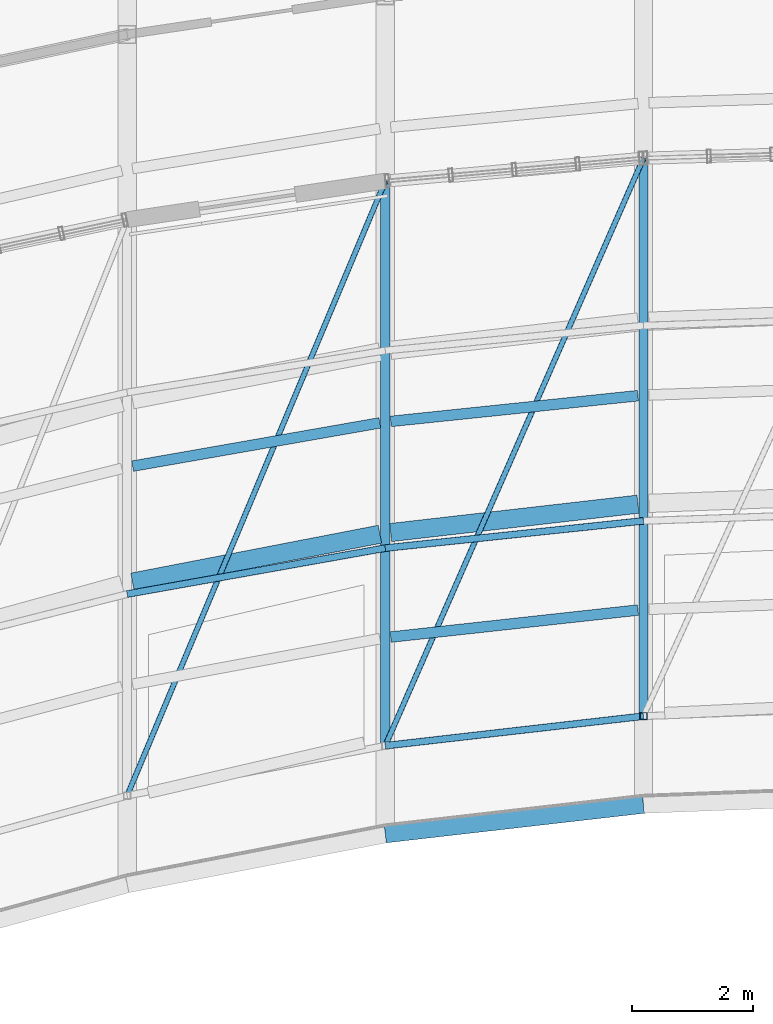
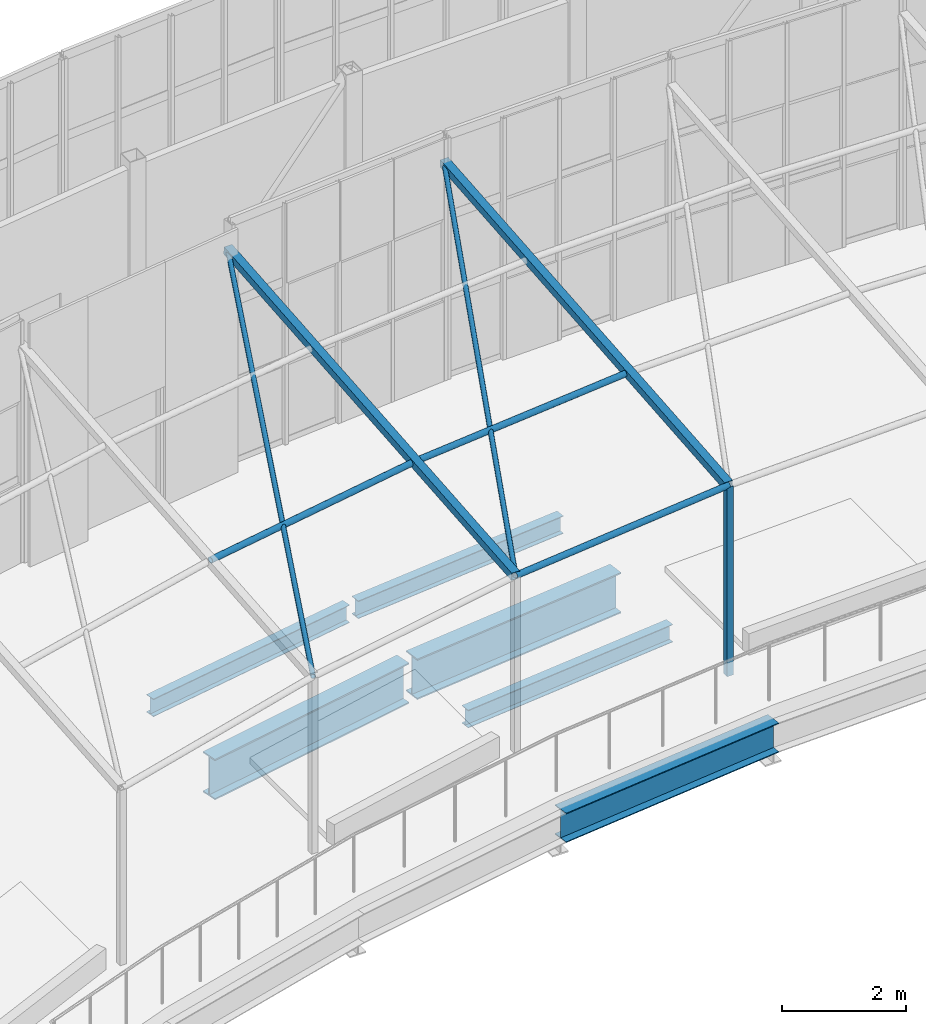
# One storey, part 11 of 35: 8 members, 6 beams.
"""IFC4 building model written with IfcOpenShell, lengths in metres."""

import ifcopenshell
import ifcopenshell.guid

model = None  # the IFC model being written
_history = None  # IfcOwnerHistory: only IFC2X3 demands one
_inside = {}  # id of a spatial element -> (the spatial element, [elements in it])
_under = {}  # id of a project, library or spatial element -> (it, [spatial elements below it])
_declared = {}  # id of a project -> (the project, [libraries it declares])
_typed = {}  # id of a type object -> (the type object, [elements of that type])
_made_of = {}  # id of a material, layer set ... -> (it, [elements and type objects made of it])


def new_model(schema):
    """Start an empty IFC model of exactly this schema.

    Asked for "IFC4X3", IfcOpenShell would pick the latest addendum, in which some entities
    have other attributes; the version numbers below select the first issue.
    IFC2X3 requires an IfcOwnerHistory on every rooted entity: one is made here for all.
    """
    global model, _history
    if schema == "IFC4X3":
        model = ifcopenshell.file(schema_version=(4, 3, 0, 0))
    else:
        model = ifcopenshell.file(schema=schema)
    _inside.clear()
    _under.clear()
    _declared.clear()
    _typed.clear()
    _made_of.clear()
    _history = None
    if model.schema == "IFC2X3":
        org = make("IfcOrganization", Name="unknown")
        user = make(
            "IfcPersonAndOrganization",
            ThePerson=make("IfcPerson", FamilyName="unknown"),
            TheOrganization=org,
        )
        app = make(
            "IfcApplication",
            ApplicationDeveloper=org,
            Version="unknown",
            ApplicationFullName="unknown",
            ApplicationIdentifier="unknown",
        )
        _history = make(
            "IfcOwnerHistory",
            OwningUser=user,
            OwningApplication=app,
            ChangeAction="ADDED",
            CreationDate=0,
        )
    return model


def make(cls, **values):
    """One entity of the class cls with the attributes given. An attribute that is None is left unset."""
    return model.create_entity(
        cls, **{name: value for name, value in values.items() if value is not None}
    )


def rooted(cls, **values):
    """An entity with a GlobalId (a new one), such as an element, a storey or a relation."""
    return make(cls, GlobalId=ifcopenshell.guid.new(), OwnerHistory=_history, **values)


def si_unit(unit_type, name, prefix=None):
    """IfcSIUnit, for example si_unit("LENGTHUNIT", "METRE", prefix="MILLI")."""
    return make("IfcSIUnit", UnitType=unit_type, Prefix=prefix, Name=name)


def assignment(units):
    """IfcUnitAssignment: the units of a project."""
    return None if units is None else make("IfcUnitAssignment", Units=units)


def point(xyz):
    """IfcCartesianPoint."""
    return None if xyz is None else make("IfcCartesianPoint", Coordinates=xyz)


def direction(xyz):
    """IfcDirection."""
    return None if xyz is None else make("IfcDirection", DirectionRatios=xyz)


def frame(location, z_axis=None, x_axis=None):
    """IfcAxis2Placement3D, a coordinate frame: its origin and axes. An axis left out is left unset."""
    return make(
        "IfcAxis2Placement3D",
        Location=point(location),
        Axis=direction(z_axis),
        RefDirection=direction(x_axis),
    )


def frame_2d(location, x_axis=None):
    """IfcAxis2Placement2D, a coordinate frame in the plane: its origin and x axis."""
    return make(
        "IfcAxis2Placement2D", Location=point(location), RefDirection=direction(x_axis)
    )


def origin():
    """The frame at (0, 0, 0) with its axes left unset."""
    return frame((0.0, 0.0, 0.0))


def origin_2d():
    """The frame at (0, 0) in the plane with its x axis left unset."""
    return frame_2d((0.0, 0.0))


def place(relative_to, where):
    """IfcLocalPlacement: puts the frame where relative to a parent placement (None: the world)."""
    return make(
        "IfcLocalPlacement", PlacementRelTo=relative_to, RelativePlacement=where
    )


def context(
    kind, dimensions, precision=None, world=None, true_north=None, identifier=None
):
    """IfcGeometricRepresentationContext, for example the 3D "Model" context."""
    return make(
        "IfcGeometricRepresentationContext",
        ContextIdentifier=identifier,
        ContextType=kind,
        CoordinateSpaceDimension=dimensions,
        Precision=precision,
        WorldCoordinateSystem=world,
        TrueNorth=true_north,
    )


def subcontext(parent, identifier, kind, view, scale=None):
    """IfcGeometricRepresentationSubContext, for example "Body" below "Model"."""
    return make(
        "IfcGeometricRepresentationSubContext",
        ContextIdentifier=identifier,
        ContextType=kind,
        ParentContext=parent,
        TargetScale=scale,
        TargetView=view,
    )


def project(units=None, contexts=None):
    """IfcProject with its units and contexts."""
    return rooted(
        "IfcProject",
        Name="project",
        RepresentationContexts=contexts,
        UnitsInContext=assignment(units),
    )


def spatial(cls, under=None, at=None, **own):
    """A site, building, storey or space (cls), placed at a placement, below another one or the project."""
    s = rooted(cls, ObjectPlacement=at, **own)
    if under is not None:
        _under.setdefault(under.id(), (under, []))[1].append(s)
    return s


def profile(cls, at=None, kind="AREA", **sizes):
    """A parametric profile (cls). Its sizes go by their IFC names, for example OverallWidth=200.0."""
    return make(cls, ProfileType=kind, Position=at, **sizes)


def hollow_rectangle(**sizes):
    """IfcRectangleHollowProfileDef."""
    return profile("IfcRectangleHollowProfileDef", **sizes)


def hollow_circle(**sizes):
    """IfcCircleHollowProfileDef."""
    return profile("IfcCircleHollowProfileDef", **sizes)


def i_section(**sizes):
    """IfcIShapeProfileDef."""
    return profile("IfcIShapeProfileDef", **sizes)


def extrude(swept, where, along, depth):
    """IfcExtrudedAreaSolid: the profile swept, set in the frame where, extruded along a direction by depth."""
    return make(
        "IfcExtrudedAreaSolid",
        SweptArea=swept,
        Position=where,
        ExtrudedDirection=direction(along),
        Depth=depth,
    )


def shape(context_of_items, identifier, shape_type, items):
    """IfcShapeRepresentation: the items that make up one representation, for example the "Body"."""
    return make(
        "IfcShapeRepresentation",
        ContextOfItems=context_of_items,
        RepresentationIdentifier=identifier,
        RepresentationType=shape_type,
        Items=items,
    )


def material(Name=None, Category=None):
    """IfcMaterial."""
    return make("IfcMaterial", Name=Name, Category=Category)


def material_profile(
    of_material, cross_section, Name=None, Category=None, Priority=None
):
    """IfcMaterialProfile: a cross section and its material."""
    return make(
        "IfcMaterialProfile",
        Name=Name,
        Material=of_material,
        Profile=cross_section,
        Priority=Priority,
        Category=Category,
    )


def profile_set(profiles, Name=None, composite=None):
    """IfcMaterialProfileSet."""
    return make(
        "IfcMaterialProfileSet",
        Name=Name,
        MaterialProfiles=profiles,
        CompositeProfile=composite,
    )


def made_of(thing, what):
    """Note that an element or type object is made of a material, layer set ...; save() writes the relation."""
    if what is not None:
        _made_of.setdefault(what.id(), (what, []))[1].append(thing)
    return thing


def type_object(cls, material=None, **own):
    """A type object (cls), such as IfcWallType, which elements share."""
    return made_of(rooted(cls, **own), material)


def element(
    cls,
    number,
    at=None,
    inside=None,
    cuts=None,
    type_object=None,
    material=None,
    context=None,
    identifier="Body",
    shape_type=None,
    held_by="IfcProductDefinitionShape",
    body=None,
    shapes=None,
    **own,
):
    """One element of the class cls, such as IfcWall. Its Tag is "e" and its number.

    at: its placement. inside: the storey or other place that contains it. cuts: it is an
    opening in that element (IfcRelVoidsElement). A single representation is given by context,
    identifier, shape_type and body (its items); several are given by shapes. held_by: the class
    of the entity that holds the representations. save() writes the other relations.
    """
    e = rooted(cls, Tag="e%d" % number, ObjectPlacement=at, **own)
    if body is not None:
        shapes = [shape(context, identifier, shape_type, body)]
    if shapes is not None:
        e.Representation = make(held_by, Representations=shapes)
    if inside is not None:
        _inside.setdefault(inside.id(), (inside, []))[1].append(e)
    if cuts is not None:
        rooted(
            "IfcRelVoidsElement", RelatingBuildingElement=cuts, RelatedOpeningElement=e
        )
    if type_object is not None:
        _typed.setdefault(type_object.id(), (type_object, []))[1].append(e)
    return made_of(e, material)


def aggregate(whole, parts):
    """IfcRelAggregates: a whole, such as a stair, and the parts it consists of."""
    return rooted("IfcRelAggregates", RelatingObject=whole, RelatedObjects=parts)


def save(model, path):
    """Write the relations noted so far, then the file.

    IfcRelAggregates (storeys below a building ...), IfcRelContainedInSpatialStructure (elements
    in a storey), IfcRelDefinesByType, IfcRelAssociatesMaterial and IfcRelDeclares: one each for
    every whole, place, type object, material and project.
    """
    for whole, parts in _under.values():
        aggregate(whole, parts)
    for where, things in _inside.values():
        rooted(
            "IfcRelContainedInSpatialStructure",
            RelatedElements=things,
            RelatingStructure=where,
        )
    for kind, things in _typed.values():
        rooted("IfcRelDefinesByType", RelatedObjects=things, RelatingType=kind)
    for what, things in _made_of.values():
        rooted("IfcRelAssociatesMaterial", RelatedObjects=things, RelatingMaterial=what)
    for by, libraries in _declared.values():
        rooted("IfcRelDeclares", RelatingContext=by, RelatedDefinitions=libraries)
    model.write(path)


model = new_model("IFC4")

# Units and contexts
model_context = context("Model", 3, precision=1e-05, world=origin(), true_north=direction((0.0, 1.0)))
body_context = subcontext(model_context, "Body", "Model", "MODEL_VIEW")
ifc_project = project(units=[si_unit("LENGTHUNIT", "METRE"), si_unit("AREAUNIT", "SQUARE_METRE"), si_unit("VOLUMEUNIT", "CUBIC_METRE"), si_unit("PLANEANGLEUNIT", "RADIAN"), si_unit("MASSUNIT", "GRAM", prefix="KILO")], contexts=[model_context])

# Site, building, storey
site_placement = place(None, origin())
site = spatial("IfcSite", under=ifc_project, at=site_placement, CompositionType="ELEMENT")
building_placement = place(site_placement, origin())
building = spatial("IfcBuilding", under=site, at=building_placement, Name="Solvikara Media Centre", CompositionType="ELEMENT")
storey_placement = place(building_placement, frame((0.0, 0.0, 29.39990234375)))
storey = spatial("IfcBuildingStorey", under=building, at=storey_placement, Name="L06", CompositionType="ELEMENT", Elevation=29.39990234375)

# Beams
ifc_material = material(Name="Steel S355JR", Category="steel")
ifc_material_profile_1 = material_profile(ifc_material, i_section(OverallWidth=0.300048828125, OverallDepth=0.800048828125, WebThickness=0.013916015625, FlangeThickness=0.02587890625, at=origin_2d()), Name="WF 800x300x14x26")
ifc_profile_set_1 = profile_set([ifc_material_profile_1], Name="Steel S355JR")
beam_type_1 = type_object("IfcBeamType", Name="BM-16", PredefinedType="BEAM", material=ifc_profile_set_1)
beam_1_placement = place(storey_placement, frame((89.337890625, 28.962890625, -0.671875), z_axis=(0.981801087979, 0.189912147171, 0.0), x_axis=(-0.189912147171, 0.981801087979, 0.0)))
element("IfcBeam", 1, at=beam_1_placement, inside=storey, type_object=beam_type_1, Name="B-L06-SPNS-03", PredefinedType="BEAM", context=body_context, shape_type="SweptSolid", body=[
    extrude(i_section(OverallWidth=0.300048828125, OverallDepth=0.800048828125, WebThickness=0.013916015625, FlangeThickness=0.02587890625, at=origin_2d()), origin(), (0.0, 0.0, 1.0), 4.149658203125),
])
beam_2_placement = place(storey_placement, frame((93.589111328125, 29.778076171875, -0.671875), z_axis=(0.993485932274, 0.113954826025, 0.0), x_axis=(-0.113954826025, 0.993485932274, 0.0)))
element("IfcBeam", 2, at=beam_2_placement, inside=storey, type_object=beam_type_1, Name="B-L06-SPNS-04", PredefinedType="BEAM", context=body_context, shape_type="SweptSolid", body=[
    extrude(i_section(OverallWidth=0.300048828125, OverallDepth=0.800048828125, WebThickness=0.013916015625, FlangeThickness=0.02587890625, at=origin_2d()), origin(), (0.0, 0.0, 1.0), 4.098388671875),
])
ifc_material_profile_2 = material_profile(ifc_material, i_section(OverallWidth=0.175048828125, OverallDepth=0.35009765625, WebThickness=0.007080078125, FlangeThickness=0.010986328125, at=origin_2d()), Name="WF 350x175x7x11")
ifc_profile_set_2 = profile_set([ifc_material_profile_2], Name="Steel S355JR")
beam_type_2 = type_object("IfcBeamType", Name="BM-22", PredefinedType="JOIST", material=ifc_profile_set_2)
beam_3_placement = place(storey_placement, frame((89.339111328125, 30.87109375, -0.447021484375), z_axis=(0.985016925608, 0.172457694134, 0.0), x_axis=(-0.172457694134, 0.985016925608, 0.0)))
element("IfcBeam", 3, at=beam_3_placement, inside=storey, type_object=beam_type_2, Name="BJ-L06-03-42", PredefinedType="JOIST", context=body_context, shape_type="SweptSolid", body=[
    extrude(i_section(OverallWidth=0.175048828125, OverallDepth=0.35009765625, WebThickness=0.007080078125, FlangeThickness=0.010986328125, at=origin_2d()), origin(), (0.0, 0.0, 1.0), 4.1337890625),
])
beam_4_placement = place(storey_placement, frame((93.589111328125, 28.056884765625, -0.447021484375), z_axis=(0.994079138151, 0.108658488359, 0.0), x_axis=(-0.108658488359, 0.994079138151, 0.0)))
element("IfcBeam", 4, at=beam_4_placement, inside=storey, type_object=beam_type_2, Name="BJ-L06-04-20", PredefinedType="JOIST", context=body_context, shape_type="SweptSolid", body=[
    extrude(i_section(OverallWidth=0.175048828125, OverallDepth=0.35009765625, WebThickness=0.007080078125, FlangeThickness=0.010986328125, at=origin_2d()), origin(), (0.0, 0.0, 1.0), 4.095947265625),
])
beam_5_placement = place(storey_placement, frame((93.590087890625, 31.60791015625, -0.447021484375), z_axis=(0.99463965164, 0.103401950587, 0.0), x_axis=(-0.103401950587, 0.99463965164, 0.0)))
element("IfcBeam", 5, at=beam_5_placement, inside=storey, type_object=beam_type_2, Name="BJ-L06-04-42", PredefinedType="JOIST", context=body_context, shape_type="SweptSolid", body=[
    extrude(i_section(OverallWidth=0.175048828125, OverallDepth=0.35009765625, WebThickness=0.007080078125, FlangeThickness=0.010986328125, at=origin_2d()), origin(), (0.0, 0.0, 1.0), 4.091796875),
])
ifc_material_profile_3 = material_profile(ifc_material, i_section(OverallWidth=0.300048828125, OverallDepth=0.58203125, WebThickness=0.011962890625, FlangeThickness=0.01708984375, at=origin_2d()), Name="WF 582x300x12x17")
ifc_profile_set_3 = profile_set([ifc_material_profile_3], Name="Steel S355JR")
beam_type_3 = type_object("IfcBeamType", Name="BM-31", PredefinedType="SPANDREL", material=ifc_profile_set_3)
beam_6_placement = place(storey_placement, frame((93.5, 24.818115234375, -0.56298828125), z_axis=(0.993503575407, 0.113800903571, 0.0), x_axis=(-0.113800903571, 0.993503575407, 0.0)))
element("IfcBeam", 6, at=beam_6_placement, inside=storey, type_object=beam_type_3, Name="B-L06-SARC-04", PredefinedType="SPANDREL", context=body_context, shape_type="SweptSolid", body=[
    extrude(i_section(OverallWidth=0.300048828125, OverallDepth=0.58203125, WebThickness=0.011962890625, FlangeThickness=0.01708984375, at=origin_2d()), origin(), (0.0, 0.0, 1.0), 4.27783203125),
])

# Members
ifc_material_profile_4 = material_profile(ifc_material, hollow_circle(Radius=0.05712890625, WallThickness=0.006103515625, at=origin_2d()), Name="CHS 114.3x6")
ifc_profile_set_4 = profile_set([ifc_material_profile_4], Name="Steel S355JR")
member_type_1 = type_object("IfcMemberType", Name="MB-09", PredefinedType="BRACE", material=ifc_profile_set_4)
member_1_placement = place(storey_placement, frame((89.25, 28.764892578125, 3.72998046875), z_axis=(0.984501589188, 0.175375656484, 0.0), x_axis=(-0.175375656484, 0.984501589188, 0.0)))
element("IfcMember", 7, at=member_1_placement, inside=storey, type_object=member_type_1, Name="PERG-LVR-04-35", PredefinedType="BRACE", context=body_context, shape_type="SweptSolid", body=[
    extrude(hollow_circle(Radius=0.05712890625, WallThickness=0.006103515625, at=origin_2d()), origin(), (0.0, 0.0, 1.0), 4.31689453125),
])
member_2_placement = place(storey_placement, frame((93.5, 26.26806640625, 3.4501953125), z_axis=(0.993503575407, 0.113800903571, 0.0), x_axis=(-0.113800903571, 0.993503575407, 0.0)))
element("IfcMember", 8, at=member_2_placement, inside=storey, type_object=member_type_1, Name="PERG-LVR-05-0", PredefinedType="BRACE", context=body_context, shape_type="SweptSolid", body=[
    extrude(hollow_circle(Radius=0.05712890625, WallThickness=0.006103515625, at=origin_2d()), origin(), (0.0, 0.0, 1.0), 4.27783203125),
])
member_3_placement = place(storey_placement, frame((93.5, 29.52197265625, 3.72998046875), z_axis=(0.994490103679, 0.104830499785, 0.0), x_axis=(-0.104830499785, 0.994490103679, 0.0)))
element("IfcMember", 9, at=member_3_placement, inside=storey, type_object=member_type_1, Name="PERG-LVR-05-35", PredefinedType="BRACE", context=body_context, shape_type="SweptSolid", body=[
    extrude(hollow_circle(Radius=0.05712890625, WallThickness=0.006103515625, at=origin_2d()), origin(), (0.0, 0.0, 1.0), 4.2734375),
])
ifc_material_profile_5 = material_profile(ifc_material, hollow_circle(Radius=0.04443359375, WallThickness=0.0048828125, at=origin_2d()), Name="CHS 88.9x5")
ifc_profile_set_5 = profile_set([ifc_material_profile_5], Name="Steel S355JR")
member_type_2 = type_object("IfcMemberType", Name="MB-10", PredefinedType="BRACE", material=ifc_profile_set_5)
member_4_placement = place(storey_placement, frame((89.25, 25.446044921875, 3.4501953125), z_axis=(0.386244762958, 0.919527901613, 0.072687146338), x_axis=(-0.921966696388, 0.387269170927, 0.0)))
element("IfcMember", 10, at=member_4_placement, inside=storey, type_object=member_type_2, Name="PERG-BR-04", PredefinedType="BRACE", context=body_context, shape_type="SweptSolid", body=[
    extrude(hollow_circle(Radius=0.04443359375, WallThickness=0.0048828125, at=origin_2d()), origin(), (0.0, 0.0, 1.0), 11.00341796875),
])
member_5_placement = place(storey_placement, frame((93.5, 26.26806640625, 3.4501953125), z_axis=(0.401110778008, 0.912914121362, 0.075484771872), x_axis=(-0.91552615899, 0.402258439569, 0.0)))
element("IfcMember", 11, at=member_5_placement, inside=storey, type_object=member_type_2, Name="PERG-BR-05", PredefinedType="BRACE", context=body_context, shape_type="SweptSolid", body=[
    extrude(hollow_circle(Radius=0.04443359375, WallThickness=0.0048828125, at=origin_2d()), origin(), (0.0, 0.0, 1.0), 10.595458984375),
])
ifc_material_profile_6 = material_profile(ifc_material, hollow_rectangle(XDim=0.14990234375, YDim=0.14990234375, WallThickness=0.00634765625, at=origin_2d()), Name="RHS 150x150x6.3")
ifc_profile_set_6 = profile_set([ifc_material_profile_6], Name="Steel S355JR")
member_type_3 = type_object("IfcMemberType", Name="MB-15", PredefinedType="BRACE", material=ifc_profile_set_6)
member_6_placement = place(storey_placement, frame((93.5, 26.26806640625, 3.4501953125), z_axis=(0.0, 0.996319116174, 0.08572175188), x_axis=(-1.0, 0.0, 0.0)))
element("IfcMember", 12, at=member_6_placement, inside=storey, type_object=member_type_3, Name="PERG-RIB-04", PredefinedType="BRACE", context=body_context, shape_type="SweptSolid", body=[
    extrude(hollow_rectangle(XDim=0.14990234375, YDim=0.14990234375, WallThickness=0.00634765625, at=origin_2d()), origin(), (0.0, 0.0, 1.0), 9.330322265625),
])
member_7_placement = place(storey_placement, frame((97.75, 26.7548828125, 3.4501953125), z_axis=(0.0, 0.996231044405, 0.086739299991), x_axis=(-1.0, 0.0, 0.0)))
element("IfcMember", 13, at=member_7_placement, inside=storey, type_object=member_type_3, Name="PERG-RIB-05", PredefinedType="BRACE", context=body_context, shape_type="SweptSolid", body=[
    extrude(hollow_rectangle(XDim=0.14990234375, YDim=0.14990234375, WallThickness=0.00634765625, at=origin_2d()), origin(), (0.0, 0.0, 1.0), 9.220703125),
])
ifc_material_profile_7 = material_profile(ifc_material, hollow_rectangle(XDim=0.1201171875, YDim=0.1201171875, WallThickness=0.006103515625, at=origin_2d()), Name="RHS 120x120x6")
ifc_profile_set_7 = profile_set([ifc_material_profile_7], Name="Steel S355JR")
member_type_4 = type_object("IfcMemberType", Name="MB-24", PredefinedType="POST", material=ifc_profile_set_7)
member_8_placement = place(storey_placement, frame((97.75, 26.7548828125, -0.27001953125), z_axis=(0.0, 0.0, 1.0), x_axis=(1.0, 0.0, 0.0)))
element("IfcMember", 14, at=member_8_placement, inside=storey, type_object=member_type_4, Name="PERG-PST-05", PredefinedType="POST", context=body_context, shape_type="SweptSolid", body=[
    extrude(hollow_rectangle(XDim=0.1201171875, YDim=0.1201171875, WallThickness=0.006103515625, at=origin_2d()), origin(), (0.0, 0.0, 1.0), 3.72021484375),
])

save(model, "model.ifc")
